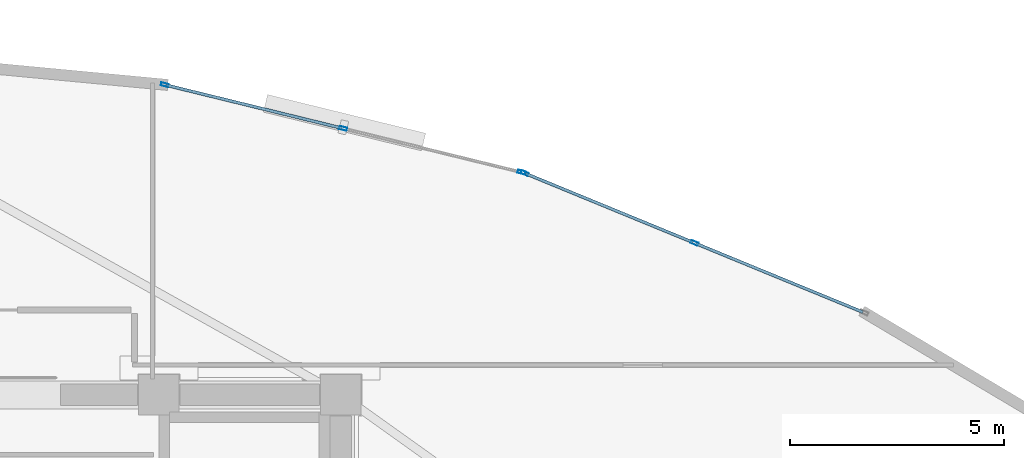
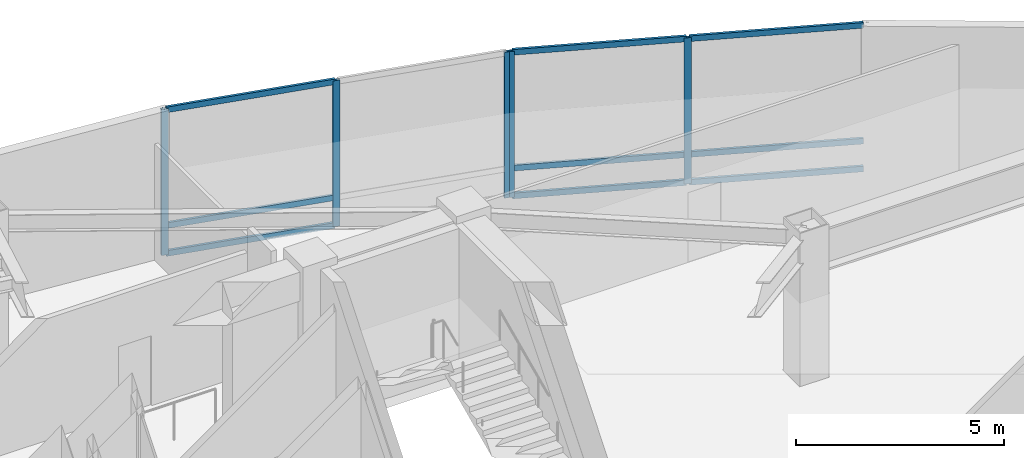
# One storey, part 10 of 17: 14 members, 2 elements without a shape of their own.
"""IFC4 building model written with IfcOpenShell, lengths in metres."""

import ifcopenshell
import ifcopenshell.guid

model = None  # the IFC model being written
_history = None  # IfcOwnerHistory: only IFC2X3 demands one
_inside = {}  # id of a spatial element -> (the spatial element, [elements in it])
_under = {}  # id of a project, library or spatial element -> (it, [spatial elements below it])
_declared = {}  # id of a project -> (the project, [libraries it declares])
_typed = {}  # id of a type object -> (the type object, [elements of that type])
_made_of = {}  # id of a material, layer set ... -> (it, [elements and type objects made of it])


def new_model(schema):
    """Start an empty IFC model of exactly this schema.

    Asked for "IFC4X3", IfcOpenShell would pick the latest addendum, in which some entities
    have other attributes; the version numbers below select the first issue.
    IFC2X3 requires an IfcOwnerHistory on every rooted entity: one is made here for all.
    """
    global model, _history
    if schema == "IFC4X3":
        model = ifcopenshell.file(schema_version=(4, 3, 0, 0))
    else:
        model = ifcopenshell.file(schema=schema)
    _inside.clear()
    _under.clear()
    _declared.clear()
    _typed.clear()
    _made_of.clear()
    _history = None
    if model.schema == "IFC2X3":
        org = make("IfcOrganization", Name="unknown")
        user = make(
            "IfcPersonAndOrganization",
            ThePerson=make("IfcPerson", FamilyName="unknown"),
            TheOrganization=org,
        )
        app = make(
            "IfcApplication",
            ApplicationDeveloper=org,
            Version="unknown",
            ApplicationFullName="unknown",
            ApplicationIdentifier="unknown",
        )
        _history = make(
            "IfcOwnerHistory",
            OwningUser=user,
            OwningApplication=app,
            ChangeAction="ADDED",
            CreationDate=0,
        )
    return model


def make(cls, **values):
    """One entity of the class cls with the attributes given. An attribute that is None is left unset."""
    return model.create_entity(
        cls, **{name: value for name, value in values.items() if value is not None}
    )


def rooted(cls, **values):
    """An entity with a GlobalId (a new one), such as an element, a storey or a relation."""
    return make(cls, GlobalId=ifcopenshell.guid.new(), OwnerHistory=_history, **values)


def si_unit(unit_type, name, prefix=None):
    """IfcSIUnit, for example si_unit("LENGTHUNIT", "METRE", prefix="MILLI")."""
    return make("IfcSIUnit", UnitType=unit_type, Prefix=prefix, Name=name)


def assignment(units):
    """IfcUnitAssignment: the units of a project."""
    return None if units is None else make("IfcUnitAssignment", Units=units)


def point(xyz):
    """IfcCartesianPoint."""
    return None if xyz is None else make("IfcCartesianPoint", Coordinates=xyz)


def direction(xyz):
    """IfcDirection."""
    return None if xyz is None else make("IfcDirection", DirectionRatios=xyz)


def frame(location, z_axis=None, x_axis=None):
    """IfcAxis2Placement3D, a coordinate frame: its origin and axes. An axis left out is left unset."""
    return make(
        "IfcAxis2Placement3D",
        Location=point(location),
        Axis=direction(z_axis),
        RefDirection=direction(x_axis),
    )


def frame_2d(location, x_axis=None):
    """IfcAxis2Placement2D, a coordinate frame in the plane: its origin and x axis."""
    return make(
        "IfcAxis2Placement2D", Location=point(location), RefDirection=direction(x_axis)
    )


def origin():
    """The frame at (0, 0, 0) with its axes left unset."""
    return frame((0.0, 0.0, 0.0))


def origin_2d():
    """The frame at (0, 0) in the plane with its x axis left unset."""
    return frame_2d((0.0, 0.0))


def place(relative_to, where):
    """IfcLocalPlacement: puts the frame where relative to a parent placement (None: the world)."""
    return make(
        "IfcLocalPlacement", PlacementRelTo=relative_to, RelativePlacement=where
    )


def context(
    kind, dimensions, precision=None, world=None, true_north=None, identifier=None
):
    """IfcGeometricRepresentationContext, for example the 3D "Model" context."""
    return make(
        "IfcGeometricRepresentationContext",
        ContextIdentifier=identifier,
        ContextType=kind,
        CoordinateSpaceDimension=dimensions,
        Precision=precision,
        WorldCoordinateSystem=world,
        TrueNorth=true_north,
    )


def subcontext(parent, identifier, kind, view, scale=None):
    """IfcGeometricRepresentationSubContext, for example "Body" below "Model"."""
    return make(
        "IfcGeometricRepresentationSubContext",
        ContextIdentifier=identifier,
        ContextType=kind,
        ParentContext=parent,
        TargetScale=scale,
        TargetView=view,
    )


def project(units=None, contexts=None):
    """IfcProject with its units and contexts."""
    return rooted(
        "IfcProject",
        Name="project",
        RepresentationContexts=contexts,
        UnitsInContext=assignment(units),
    )


def spatial(cls, under=None, at=None, **own):
    """A site, building, storey or space (cls), placed at a placement, below another one or the project."""
    s = rooted(cls, ObjectPlacement=at, **own)
    if under is not None:
        _under.setdefault(under.id(), (under, []))[1].append(s)
    return s


def profile(cls, at=None, kind="AREA", **sizes):
    """A parametric profile (cls). Its sizes go by their IFC names, for example OverallWidth=200.0."""
    return make(cls, ProfileType=kind, Position=at, **sizes)


def hollow_rectangle(**sizes):
    """IfcRectangleHollowProfileDef."""
    return profile("IfcRectangleHollowProfileDef", **sizes)


def extrude(swept, where, along, depth):
    """IfcExtrudedAreaSolid: the profile swept, set in the frame where, extruded along a direction by depth."""
    return make(
        "IfcExtrudedAreaSolid",
        SweptArea=swept,
        Position=where,
        ExtrudedDirection=direction(along),
        Depth=depth,
    )


def shape(context_of_items, identifier, shape_type, items):
    """IfcShapeRepresentation: the items that make up one representation, for example the "Body"."""
    return make(
        "IfcShapeRepresentation",
        ContextOfItems=context_of_items,
        RepresentationIdentifier=identifier,
        RepresentationType=shape_type,
        Items=items,
    )


def material(Name=None, Category=None):
    """IfcMaterial."""
    return make("IfcMaterial", Name=Name, Category=Category)


def layer(
    of_material, thickness, ventilated=None, Name=None, Category=None, Priority=None
):
    """IfcMaterialLayer: one layer of a wall or slab, of a material (None: an air gap)."""
    return make(
        "IfcMaterialLayer",
        Material=of_material,
        LayerThickness=thickness,
        IsVentilated=ventilated,
        Name=Name,
        Category=Category,
        Priority=Priority,
    )


def layer_set(layers, Name=None):
    """IfcMaterialLayerSet."""
    return make("IfcMaterialLayerSet", MaterialLayers=layers, LayerSetName=Name)


def material_profile(
    of_material, cross_section, Name=None, Category=None, Priority=None
):
    """IfcMaterialProfile: a cross section and its material."""
    return make(
        "IfcMaterialProfile",
        Name=Name,
        Material=of_material,
        Profile=cross_section,
        Priority=Priority,
        Category=Category,
    )


def profile_set(profiles, Name=None, composite=None):
    """IfcMaterialProfileSet."""
    return make(
        "IfcMaterialProfileSet",
        Name=Name,
        MaterialProfiles=profiles,
        CompositeProfile=composite,
    )


def made_of(thing, what):
    """Note that an element or type object is made of a material, layer set ...; save() writes the relation."""
    if what is not None:
        _made_of.setdefault(what.id(), (what, []))[1].append(thing)
    return thing


def type_object(cls, material=None, **own):
    """A type object (cls), such as IfcWallType, which elements share."""
    return made_of(rooted(cls, **own), material)


def element(
    cls,
    number,
    at=None,
    inside=None,
    cuts=None,
    type_object=None,
    material=None,
    context=None,
    identifier="Body",
    shape_type=None,
    held_by="IfcProductDefinitionShape",
    body=None,
    shapes=None,
    **own,
):
    """One element of the class cls, such as IfcWall. Its Tag is "e" and its number.

    at: its placement. inside: the storey or other place that contains it. cuts: it is an
    opening in that element (IfcRelVoidsElement). A single representation is given by context,
    identifier, shape_type and body (its items); several are given by shapes. held_by: the class
    of the entity that holds the representations. save() writes the other relations.
    """
    e = rooted(cls, Tag="e%d" % number, ObjectPlacement=at, **own)
    if body is not None:
        shapes = [shape(context, identifier, shape_type, body)]
    if shapes is not None:
        e.Representation = make(held_by, Representations=shapes)
    if inside is not None:
        _inside.setdefault(inside.id(), (inside, []))[1].append(e)
    if cuts is not None:
        rooted(
            "IfcRelVoidsElement", RelatingBuildingElement=cuts, RelatedOpeningElement=e
        )
    if type_object is not None:
        _typed.setdefault(type_object.id(), (type_object, []))[1].append(e)
    return made_of(e, material)


def aggregate(whole, parts):
    """IfcRelAggregates: a whole, such as a stair, and the parts it consists of."""
    return rooted("IfcRelAggregates", RelatingObject=whole, RelatedObjects=parts)


def save(model, path):
    """Write the relations noted so far, then the file.

    IfcRelAggregates (storeys below a building ...), IfcRelContainedInSpatialStructure (elements
    in a storey), IfcRelDefinesByType, IfcRelAssociatesMaterial and IfcRelDeclares: one each for
    every whole, place, type object, material and project.
    """
    for whole, parts in _under.values():
        aggregate(whole, parts)
    for where, things in _inside.values():
        rooted(
            "IfcRelContainedInSpatialStructure",
            RelatedElements=things,
            RelatingStructure=where,
        )
    for kind, things in _typed.values():
        rooted("IfcRelDefinesByType", RelatedObjects=things, RelatingType=kind)
    for what, things in _made_of.values():
        rooted("IfcRelAssociatesMaterial", RelatedObjects=things, RelatingMaterial=what)
    for by, libraries in _declared.values():
        rooted("IfcRelDeclares", RelatingContext=by, RelatedDefinitions=libraries)
    model.write(path)


model = new_model("IFC4")

# Units and contexts
model_context = context("Model", 3, precision=1e-05, world=origin(), true_north=direction((0.0, 1.0)))
body_context = subcontext(model_context, "Body", "Model", "MODEL_VIEW")
ifc_project = project(units=[si_unit("LENGTHUNIT", "METRE"), si_unit("AREAUNIT", "SQUARE_METRE"), si_unit("VOLUMEUNIT", "CUBIC_METRE"), si_unit("PLANEANGLEUNIT", "RADIAN"), si_unit("MASSUNIT", "GRAM", prefix="KILO")], contexts=[model_context])

# Site, building, storey
site_placement = place(None, origin())
site = spatial("IfcSite", under=ifc_project, at=site_placement, CompositionType="ELEMENT")
building_placement = place(site_placement, origin())
building = spatial("IfcBuilding", under=site, at=building_placement, Name="Menara Vayukalpa", CompositionType="ELEMENT")
storey_placement = place(building_placement, frame((0.0, 0.0, 242.639892578125)))
storey = spatial("IfcBuildingStorey", under=building, at=storey_placement, Name="L61", CompositionType="ELEMENT", Elevation=242.639892578125)

# Curtain wall, members
ifc_material_1 = material(Name="Anodised Terracotta Aluminium Alloy 6063-T6", Category="masonry")
ifc_layer = layer(ifc_material_1, 0.179931640625)
ifc_layer_set = layer_set([ifc_layer], Name="Anodised Terracotta Aluminium Alloy 6063-T6")
curtain_wall_type = type_object("IfcCurtainWallType", Name="CW-CW4", PredefinedType="USERDEFINED", material=ifc_layer_set)
curtain_wall_1_placement = place(storey_placement, origin())
curtain_wall_1 = element("IfcCurtainWall", 1, at=curtain_wall_1_placement, inside=storey, type_object=curtain_wall_type, Name="L61 Sky Bar Cantilever Glazed Curtain Wall CW4 04", ObjectType="UNITISED", PredefinedType="USERDEFINED")
ifc_material_2 = material(Name="Anodised Terracotta Aluminium Alloy 6063-T6", Category="masonry")
ifc_material_profile_1 = material_profile(ifc_material_2, hollow_rectangle(XDim=0.074951171875, YDim=0.179931640625, WallThickness=0.00390625, at=origin_2d()), Name="ALU 75x180x4")
ifc_profile_set_1 = profile_set([ifc_material_profile_1], Name="Anodised Terracotta Aluminium Alloy 6063-T6")
member_type_1 = type_object("IfcMemberType", Name="CWM-CW4", PredefinedType="MULLION", material=ifc_profile_set_1)
member_1_placement = place(storey_placement, frame((41.658203125, 30.34765625, 0.0), z_axis=(0.0, 0.0, 1.0), x_axis=(-0.380039448491, -0.924970279301, 0.0)))
member_1 = element("IfcMember", 2, at=member_1_placement, type_object=member_type_1, Name="CW4 mullion 2", PredefinedType="MULLION", context=body_context, shape_type="SweptSolid", body=[
    extrude(hollow_rectangle(XDim=0.074951171875, YDim=0.179931640625, WallThickness=0.00390625, at=origin_2d()), origin(), (0.0, 0.0, 1.0), 4.280029296875),
])
member_2_placement = place(storey_placement, frame((37.690673828125, 31.977783203125, 0.0), z_axis=(0.0, 0.0, 1.0), x_axis=(-0.380039448491, -0.924970279301, 0.0)))
member_2 = element("IfcMember", 3, at=member_2_placement, type_object=member_type_1, Name="CW4 mullion 3", PredefinedType="MULLION", context=body_context, shape_type="SweptSolid", body=[
    extrude(hollow_rectangle(XDim=0.074951171875, YDim=0.179931640625, WallThickness=0.00390625, at=origin_2d()), origin(), (0.0, 0.0, 1.0), 4.280029296875),
])

curtain_wall_2_placement = place(storey_placement, origin())
curtain_wall_2 = element("IfcCurtainWall", 4, at=curtain_wall_2_placement, inside=storey, type_object=curtain_wall_type, Name="L61 Sky Bar Cantilever Glazed Curtain Wall CW4 05", ObjectType="UNITISED", PredefinedType="USERDEFINED")
member_3_placement = place(storey_placement, frame((37.61962890625, 32.0009765625, 0.0), z_axis=(0.0, 0.0, 1.0), x_axis=(-0.237809768652, -0.971311749097, 0.0)))
member_3 = element("IfcMember", 5, at=member_3_placement, type_object=member_type_1, Name="CW4 mullion 1", PredefinedType="MULLION", context=body_context, shape_type="SweptSolid", body=[
    extrude(hollow_rectangle(XDim=0.074951171875, YDim=0.179931640625, WallThickness=0.00390625, at=origin_2d()), origin(), (0.0, 0.0, 1.0), 4.280029296875),
])
member_4_placement = place(storey_placement, frame((33.453369140625, 33.02099609375, 0.0), z_axis=(0.0, 0.0, 1.0), x_axis=(-0.237809768652, -0.971311749097, 0.0)))
member_4 = element("IfcMember", 6, at=member_4_placement, type_object=member_type_1, Name="CW4 mullion 2", PredefinedType="MULLION", context=body_context, shape_type="SweptSolid", body=[
    extrude(hollow_rectangle(XDim=0.074951171875, YDim=0.179931640625, WallThickness=0.00390625, at=origin_2d()), origin(), (0.0, 0.0, 1.0), 4.280029296875),
])
member_5_placement = place(storey_placement, frame((29.287109375, 34.041015625, 0.0), z_axis=(0.0, 0.0, 1.0), x_axis=(-0.237809768652, -0.971311749097, 0.0)))
member_5 = element("IfcMember", 7, at=member_5_placement, type_object=member_type_1, Name="CW4 mullion 3", PredefinedType="MULLION", context=body_context, shape_type="SweptSolid", body=[
    extrude(hollow_rectangle(XDim=0.074951171875, YDim=0.179931640625, WallThickness=0.00390625, at=origin_2d()), origin(), (0.0, 0.0, 1.0), 4.280029296875),
])

# Member
ifc_material_3 = material(Name="Anodised Terracotta Aluminium Alloy 6063-T6", Category="masonry")
ifc_material_profile_2 = material_profile(ifc_material_3, hollow_rectangle(XDim=0.070068359375, YDim=0.1650390625, WallThickness=0.00390625, at=origin_2d()), Name="ALU 70x165x4")
ifc_profile_set_2 = profile_set([ifc_material_profile_2], Name="Anodised Terracotta Aluminium Alloy 6063-T6")
member_type_2 = type_object("IfcMemberType", Name="CWT-CW4", PredefinedType="USERDEFINED", material=ifc_profile_set_2)
member_6_placement = place(storey_placement, frame((45.5908203125, 28.731689453125, 0.03515625), z_axis=(-0.924947817082, 0.380094114235, 0.0), x_axis=(-0.380094114235, -0.924947817082, 0.0)))
member_6 = element("IfcMember", 8, at=member_6_placement, type_object=member_type_2, Name="CW4 transom 1.1", ObjectType="TRANSOM", PredefinedType="USERDEFINED", context=body_context, shape_type="SweptSolid", body=[
    extrude(hollow_rectangle(XDim=0.070068359375, YDim=0.1650390625, WallThickness=0.00390625, at=origin_2d()), origin(), (0.0, 0.0, 1.0), 4.21435546875),
])

member_7_placement = place(storey_placement, frame((45.5908203125, 28.731689453125, 0.85009765625), z_axis=(-0.924947817082, 0.380094114235, 0.0), x_axis=(-0.380094114235, -0.924947817082, 0.0)))
member_7 = element("IfcMember", 9, at=member_7_placement, type_object=member_type_2, Name="CW4 transom 1.2", ObjectType="TRANSOM", PredefinedType="USERDEFINED", context=body_context, shape_type="SweptSolid", body=[
    extrude(hollow_rectangle(XDim=0.070068359375, YDim=0.1650390625, WallThickness=0.00390625, at=origin_2d()), origin(), (0.0, 0.0, 1.0), 4.21435546875),
])

member_8_placement = place(storey_placement, frame((45.5908203125, 28.731689453125, 4.2451171875), z_axis=(-0.924947817082, 0.380094114235, 0.0), x_axis=(-0.380094114235, -0.924947817082, 0.0)))
member_8 = element("IfcMember", 10, at=member_8_placement, type_object=member_type_2, Name="CW4 transom 1.3", ObjectType="TRANSOM", PredefinedType="USERDEFINED", context=body_context, shape_type="SweptSolid", body=[
    extrude(hollow_rectangle(XDim=0.070068359375, YDim=0.1650390625, WallThickness=0.00390625, at=origin_2d()), origin(), (0.0, 0.0, 1.0), 4.21435546875),
])

member_9_placement = place(storey_placement, frame((41.62353515625, 30.36181640625, 0.03515625), z_axis=(-0.924976550219, 0.380024185473, 0.0), x_axis=(-0.380024185473, -0.924976550219, 0.0)))
member_9 = element("IfcMember", 11, at=member_9_placement, type_object=member_type_2, Name="CW4 transom 2.1", ObjectType="TRANSOM", PredefinedType="USERDEFINED", context=body_context, shape_type="SweptSolid", body=[
    extrude(hollow_rectangle(XDim=0.070068359375, YDim=0.1650390625, WallThickness=0.00390625, at=origin_2d()), origin(), (0.0, 0.0, 1.0), 4.21435546875),
])

member_10_placement = place(storey_placement, frame((41.62353515625, 30.36181640625, 0.85009765625), z_axis=(-0.924976550219, 0.380024185473, 0.0), x_axis=(-0.380024185473, -0.924976550219, 0.0)))
member_10 = element("IfcMember", 12, at=member_10_placement, type_object=member_type_2, Name="CW4 transom 2.2", ObjectType="TRANSOM", PredefinedType="USERDEFINED", context=body_context, shape_type="SweptSolid", body=[
    extrude(hollow_rectangle(XDim=0.070068359375, YDim=0.1650390625, WallThickness=0.00390625, at=origin_2d()), origin(), (0.0, 0.0, 1.0), 4.21435546875),
])

member_11_placement = place(storey_placement, frame((41.62353515625, 30.36181640625, 4.2451171875), z_axis=(-0.924976550219, 0.380024185473, 0.0), x_axis=(-0.380024185473, -0.924976550219, 0.0)))
member_11 = element("IfcMember", 13, at=member_11_placement, type_object=member_type_2, Name="CW4 transom 2.3", ObjectType="TRANSOM", PredefinedType="USERDEFINED", context=body_context, shape_type="SweptSolid", body=[
    extrude(hollow_rectangle(XDim=0.070068359375, YDim=0.1650390625, WallThickness=0.00390625, at=origin_2d()), origin(), (0.0, 0.0, 1.0), 4.21435546875),
])

aggregate(curtain_wall_1, [member_1, member_2, member_6, member_7, member_8, member_9, member_10, member_11])

member_12_placement = place(storey_placement, frame((33.4169921875, 33.02978515625, 0.03515625), z_axis=(-0.971313425115, 0.237802923009, 0.0), x_axis=(-0.237802923009, -0.971313425115, 0.0)))
member_12 = element("IfcMember", 14, at=member_12_placement, type_object=member_type_2, Name="CW4 transom 2.1", ObjectType="TRANSOM", PredefinedType="USERDEFINED", context=body_context, shape_type="SweptSolid", body=[
    extrude(hollow_rectangle(XDim=0.070068359375, YDim=0.1650390625, WallThickness=0.00390625, at=origin_2d()), origin(), (0.0, 0.0, 1.0), 4.21435546875),
])

member_13_placement = place(storey_placement, frame((33.4169921875, 33.02978515625, 0.85009765625), z_axis=(-0.971313425115, 0.237802923009, 0.0), x_axis=(-0.237802923009, -0.971313425115, 0.0)))
member_13 = element("IfcMember", 15, at=member_13_placement, type_object=member_type_2, Name="CW4 transom 2.2", ObjectType="TRANSOM", PredefinedType="USERDEFINED", context=body_context, shape_type="SweptSolid", body=[
    extrude(hollow_rectangle(XDim=0.070068359375, YDim=0.1650390625, WallThickness=0.00390625, at=origin_2d()), origin(), (0.0, 0.0, 1.0), 4.21435546875),
])

member_14_placement = place(storey_placement, frame((33.4169921875, 33.02978515625, 4.2451171875), z_axis=(-0.971313425115, 0.237802923009, 0.0), x_axis=(-0.237802923009, -0.971313425115, 0.0)))
member_14 = element("IfcMember", 16, at=member_14_placement, type_object=member_type_2, Name="CW4 transom 2.3", ObjectType="TRANSOM", PredefinedType="USERDEFINED", context=body_context, shape_type="SweptSolid", body=[
    extrude(hollow_rectangle(XDim=0.070068359375, YDim=0.1650390625, WallThickness=0.00390625, at=origin_2d()), origin(), (0.0, 0.0, 1.0), 4.21435546875),
])

aggregate(curtain_wall_2, [member_3, member_4, member_5, member_12, member_13, member_14])

save(model, "model.ifc")
